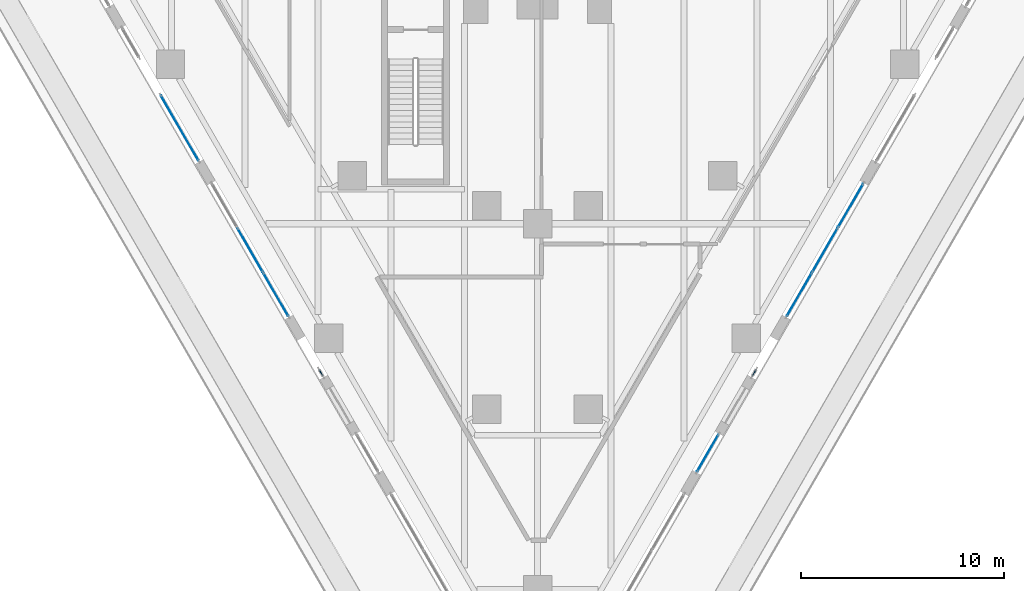
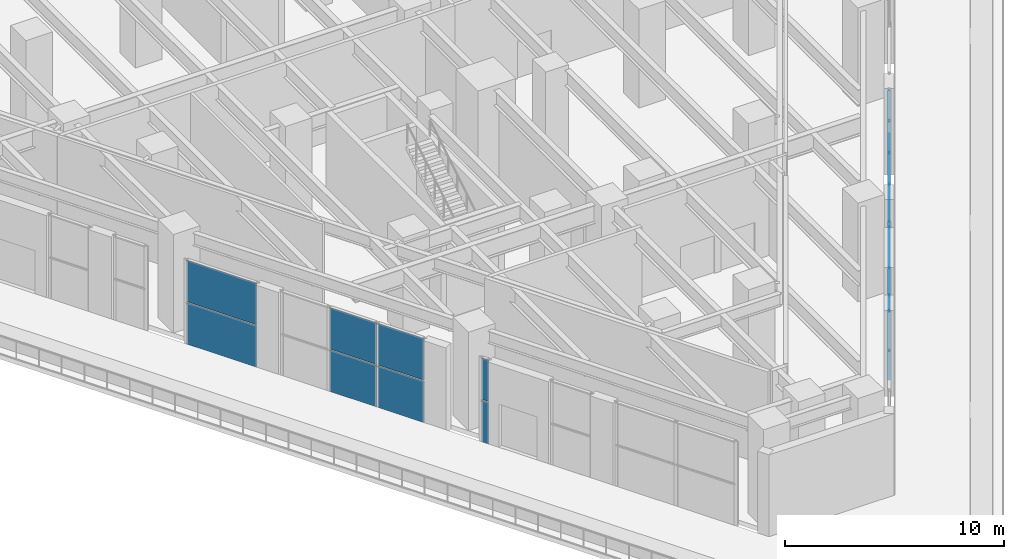
# One storey, part 16 of 30: 18 plates, 6 elements without a shape of their own.
"""IFC4 building model written with IfcOpenShell, lengths in metres."""

from ifc_helpers import new_model, si_unit, direction, frame, origin, origin_2d, place, context, subcontext, project, spatial, rectangle, extrude, material, layer, layer_set, type_object, element, aggregate, save


model = new_model("IFC4")

# Units and contexts
model_context = context("Model", 3, precision=1e-05, world=origin(), true_north=direction((0.0, 1.0)))
body_context = subcontext(model_context, "Body", "Model", "MODEL_VIEW")
ifc_project = project(units=[si_unit("LENGTHUNIT", "METRE"), si_unit("AREAUNIT", "SQUARE_METRE"), si_unit("VOLUMEUNIT", "CUBIC_METRE"), si_unit("PLANEANGLEUNIT", "RADIAN"), si_unit("MASSUNIT", "GRAM", prefix="KILO")], contexts=[model_context])

# Site, building, storey
site_placement = place(None, origin())
site = spatial("IfcSite", under=ifc_project, at=site_placement, CompositionType="ELEMENT")
building_placement = place(site_placement, origin())
building = spatial("IfcBuilding", under=site, at=building_placement, Name="Aloe Facet Convention Tower", CompositionType="ELEMENT")
storey_placement = place(building_placement, frame((0.0, 0.0, 19.5)))
storey = spatial("IfcBuildingStorey", under=building, at=storey_placement, Name="L03", CompositionType="ELEMENT", Elevation=19.5)

# Curtain wall, plates
ifc_material_1 = material(Name="Aluminium, anodised", Category="aluminium")
curtain_wall_type = type_object("IfcCurtainWallType", Name="EV-CW-HALL", PredefinedType="USERDEFINED", material=ifc_material_1)
curtain_wall_1_placement = place(storey_placement, origin())
curtain_wall_1 = element("IfcCurtainWall", 1, at=curtain_wall_1_placement, inside=storey, type_object=curtain_wall_type, Name="CW-L03-W12-2", ObjectType="UNITISED HALL GLAZING", PredefinedType="USERDEFINED")
ifc_material_2 = material(Name="Clear double glazing", Category="glass")
ifc_layer = layer(ifc_material_2, 0.035888671875)
ifc_layer_set = layer_set([ifc_layer], Name="EV-PANEL-HALL")
plate_type = type_object("IfcPlateType", Name="EV-PANEL-HALL", PredefinedType="CURTAIN_PANEL", material=ifc_layer_set)
plate_1_placement = place(storey_placement, frame((62.396484375, 85.710693359375, -0.18505859375), z_axis=(0.0, 0.0, 1.0), x_axis=(0.50000000003, -0.866025403767, 0.0)))
plate_1 = element("IfcPlate", 2, at=plate_1_placement, type_object=plate_type, Name="CW-L03-W12-2 panel 1.1", PredefinedType="CURTAIN_PANEL", context=body_context, shape_type="SweptSolid", body=[
    extrude(rectangle(XDim=3.702880859375, YDim=0.035888671875, at=origin_2d()), origin(), (0.0, 0.0, 1.0), 2.308837890625),
])
plate_2_placement = place(storey_placement, frame((62.396484375, 85.710693359375, 2.1884765625), z_axis=(0.0, 0.0, 1.0), x_axis=(0.50000000003, -0.866025403767, 0.0)))
plate_2 = element("IfcPlate", 3, at=plate_2_placement, type_object=plate_type, Name="CW-L03-W12-2 panel 1.2", PredefinedType="CURTAIN_PANEL", context=body_context, shape_type="SweptSolid", body=[
    extrude(rectangle(XDim=3.702880859375, YDim=0.035888671875, at=origin_2d()), origin(), (0.0, 0.0, 1.0), 2.308837890625),
])
aggregate(curtain_wall_1, [plate_1, plate_2])

curtain_wall_2_placement = place(storey_placement, origin())
curtain_wall_2 = element("IfcCurtainWall", 4, at=curtain_wall_2_placement, inside=storey, type_object=curtain_wall_type, Name="CW-L03-W14", ObjectType="UNITISED HALL GLAZING", PredefinedType="USERDEFINED")
plate_3_placement = place(storey_placement, frame((65.861328125, 79.709228515625, -0.18505859375), z_axis=(0.0, 0.0, 1.0), x_axis=(0.49999999997, -0.866025403802, 0.0)))
plate_3 = element("IfcPlate", 5, at=plate_3_placement, type_object=plate_type, Name="CW-L03-W14 panel 2.1", PredefinedType="CURTAIN_PANEL", context=body_context, shape_type="SweptSolid", body=[
    extrude(rectangle(XDim=2.477294921875, YDim=0.035888671875, at=origin_2d()), origin(), (0.0, 0.0, 1.0), 2.308837890625),
])
plate_4_placement = place(storey_placement, frame((65.861328125, 79.709228515625, 2.1884765625), z_axis=(0.0, 0.0, 1.0), x_axis=(0.49999999997, -0.866025403802, 0.0)))
plate_4 = element("IfcPlate", 6, at=plate_4_placement, type_object=plate_type, Name="CW-L03-W14 panel 2.2", PredefinedType="CURTAIN_PANEL", context=body_context, shape_type="SweptSolid", body=[
    extrude(rectangle(XDim=2.477294921875, YDim=0.035888671875, at=origin_2d()), origin(), (0.0, 0.0, 1.0), 2.308837890625),
])
plate_5_placement = place(storey_placement, frame((67.124267578125, 77.521728515625, -0.18505859375), z_axis=(0.0, 0.0, 1.0), x_axis=(0.49999999997, -0.866025403802, 0.0)))
plate_5 = element("IfcPlate", 7, at=plate_5_placement, type_object=plate_type, Name="CW-L03-W14 panel 3.1", PredefinedType="CURTAIN_PANEL", context=body_context, shape_type="SweptSolid", body=[
    extrude(rectangle(XDim=2.44482421875, YDim=0.035888671875, at=origin_2d()), origin(), (0.0, 0.0, 1.0), 2.308837890625),
])
plate_6_placement = place(storey_placement, frame((67.124267578125, 77.521728515625, 2.1884765625), z_axis=(0.0, 0.0, 1.0), x_axis=(0.49999999997, -0.866025403802, 0.0)))
plate_6 = element("IfcPlate", 8, at=plate_6_placement, type_object=plate_type, Name="CW-L03-W14 panel 3.2", PredefinedType="CURTAIN_PANEL", context=body_context, shape_type="SweptSolid", body=[
    extrude(rectangle(XDim=2.44482421875, YDim=0.035888671875, at=origin_2d()), origin(), (0.0, 0.0, 1.0), 2.308837890625),
])
aggregate(curtain_wall_2, [plate_3, plate_4, plate_5, plate_6])

curtain_wall_3_placement = place(storey_placement, origin())
curtain_wall_3 = element("IfcCurtainWall", 9, at=curtain_wall_3_placement, inside=storey, type_object=curtain_wall_type, Name="CW-L03-W16A", ObjectType="UNITISED HALL GLAZING", PredefinedType="USERDEFINED")
plate_7_placement = place(storey_placement, frame((69.34765625, 73.6708984375, -0.18505859375), z_axis=(0.0, 0.0, 1.0), x_axis=(0.500000000408, -0.866025403549, 0.0)))
plate_7 = element("IfcPlate", 10, at=plate_7_placement, type_object=plate_type, Name="CW-L03-W16A panel 1.1", PredefinedType="CURTAIN_PANEL", context=body_context, shape_type="SweptSolid", body=[
    extrude(rectangle(XDim=0.37841796875, YDim=0.035888671875, at=origin_2d()), origin(), (0.0, 0.0, 1.0), 2.308837890625),
])
plate_8_placement = place(storey_placement, frame((69.34765625, 73.6708984375, 2.1884765625), z_axis=(0.0, 0.0, 1.0), x_axis=(0.500000000408, -0.866025403549, 0.0)))
plate_8 = element("IfcPlate", 11, at=plate_8_placement, type_object=plate_type, Name="CW-L03-W16A panel 1.2", PredefinedType="CURTAIN_PANEL", context=body_context, shape_type="SweptSolid", body=[
    extrude(rectangle(XDim=0.37841796875, YDim=0.035888671875, at=origin_2d()), origin(), (0.0, 0.0, 1.0), 2.308837890625),
])
aggregate(curtain_wall_3, [plate_7, plate_8])

curtain_wall_4_placement = place(storey_placement, origin())
curtain_wall_4 = element("IfcCurtainWall", 12, at=curtain_wall_4_placement, inside=storey, type_object=curtain_wall_type, Name="CW-L03-E04A", ObjectType="UNITISED HALL GLAZING", PredefinedType="USERDEFINED")
plate_9_placement = place(storey_placement, frame((88.371826171875, 69.720947265625, -0.18505859375), z_axis=(0.0, 0.0, 1.0), x_axis=(0.50000000003, 0.866025403767, 0.0)))
plate_9 = element("IfcPlate", 13, at=plate_9_placement, type_object=plate_type, Name="CW-L03-E04A panel 1.1", PredefinedType="CURTAIN_PANEL", context=body_context, shape_type="SweptSolid", body=[
    extrude(rectangle(XDim=2.08349609375, YDim=0.035888671875, at=origin_2d()), origin(), (0.0, 0.0, 1.0), 2.308837890625),
])
plate_10_placement = place(storey_placement, frame((88.371826171875, 69.720947265625, 2.1884765625), z_axis=(0.0, 0.0, 1.0), x_axis=(0.50000000003, 0.866025403767, 0.0)))
plate_10 = element("IfcPlate", 14, at=plate_10_placement, type_object=plate_type, Name="CW-L03-E04A panel 1.2", PredefinedType="CURTAIN_PANEL", context=body_context, shape_type="SweptSolid", body=[
    extrude(rectangle(XDim=2.08349609375, YDim=0.035888671875, at=origin_2d()), origin(), (0.0, 0.0, 1.0), 2.308837890625),
])
aggregate(curtain_wall_4, [plate_9, plate_10])

curtain_wall_5_placement = place(storey_placement, origin())
curtain_wall_5 = element("IfcCurtainWall", 15, at=curtain_wall_5_placement, inside=storey, type_object=curtain_wall_type, Name="CW-L03-E04B", ObjectType="UNITISED HALL GLAZING", PredefinedType="USERDEFINED")
plate_11_placement = place(storey_placement, frame((90.65234375, 73.6708984375, -0.18505859375), z_axis=(0.0, 0.0, 1.0), x_axis=(0.500000000408, 0.866025403549, 0.0)))
plate_11 = element("IfcPlate", 16, at=plate_11_placement, type_object=plate_type, Name="CW-L03-E04B panel 1.1", PredefinedType="CURTAIN_PANEL", context=body_context, shape_type="SweptSolid", body=[
    extrude(rectangle(XDim=0.37841796875, YDim=0.035888671875, at=origin_2d()), origin(), (0.0, 0.0, 1.0), 2.308837890625),
])
plate_12_placement = place(storey_placement, frame((90.65234375, 73.6708984375, 2.1884765625), z_axis=(0.0, 0.0, 1.0), x_axis=(0.500000000408, 0.866025403549, 0.0)))
plate_12 = element("IfcPlate", 17, at=plate_12_placement, type_object=plate_type, Name="CW-L03-E04B panel 1.2", PredefinedType="CURTAIN_PANEL", context=body_context, shape_type="SweptSolid", body=[
    extrude(rectangle(XDim=0.37841796875, YDim=0.035888671875, at=origin_2d()), origin(), (0.0, 0.0, 1.0), 2.308837890625),
])
aggregate(curtain_wall_5, [plate_11, plate_12])

curtain_wall_6_placement = place(storey_placement, origin())
curtain_wall_6 = element("IfcCurtainWall", 18, at=curtain_wall_6_placement, inside=storey, type_object=curtain_wall_type, Name="CW-L03-E06", ObjectType="UNITISED HALL GLAZING", PredefinedType="USERDEFINED")
plate_13_placement = place(storey_placement, frame((92.875732421875, 77.521728515625, -0.18505859375), z_axis=(0.0, 0.0, 1.0), x_axis=(0.49999999997, 0.866025403802, 0.0)))
plate_13 = element("IfcPlate", 19, at=plate_13_placement, type_object=plate_type, Name="CW-L03-E06 panel 1.1", PredefinedType="CURTAIN_PANEL", context=body_context, shape_type="SweptSolid", body=[
    extrude(rectangle(XDim=2.44482421875, YDim=0.035888671875, at=origin_2d()), origin(), (0.0, 0.0, 1.0), 2.308837890625),
])
plate_14_placement = place(storey_placement, frame((92.875732421875, 77.521728515625, 2.1884765625), z_axis=(0.0, 0.0, 1.0), x_axis=(0.49999999997, 0.866025403802, 0.0)))
plate_14 = element("IfcPlate", 20, at=plate_14_placement, type_object=plate_type, Name="CW-L03-E06 panel 1.2", PredefinedType="CURTAIN_PANEL", context=body_context, shape_type="SweptSolid", body=[
    extrude(rectangle(XDim=2.44482421875, YDim=0.035888671875, at=origin_2d()), origin(), (0.0, 0.0, 1.0), 2.308837890625),
])
plate_15_placement = place(storey_placement, frame((94.138671875, 79.709228515625, -0.18505859375), z_axis=(0.0, 0.0, 1.0), x_axis=(0.49999999997, 0.866025403802, 0.0)))
plate_15 = element("IfcPlate", 21, at=plate_15_placement, type_object=plate_type, Name="CW-L03-E06 panel 2.1", PredefinedType="CURTAIN_PANEL", context=body_context, shape_type="SweptSolid", body=[
    extrude(rectangle(XDim=2.477294921875, YDim=0.035888671875, at=origin_2d()), origin(), (0.0, 0.0, 1.0), 2.308837890625),
])
plate_16_placement = place(storey_placement, frame((94.138671875, 79.709228515625, 2.1884765625), z_axis=(0.0, 0.0, 1.0), x_axis=(0.49999999997, 0.866025403802, 0.0)))
plate_16 = element("IfcPlate", 22, at=plate_16_placement, type_object=plate_type, Name="CW-L03-E06 panel 2.2", PredefinedType="CURTAIN_PANEL", context=body_context, shape_type="SweptSolid", body=[
    extrude(rectangle(XDim=2.477294921875, YDim=0.035888671875, at=origin_2d()), origin(), (0.0, 0.0, 1.0), 2.308837890625),
])
plate_17_placement = place(storey_placement, frame((95.401611328125, 81.89697265625, -0.18505859375), z_axis=(0.0, 0.0, 1.0), x_axis=(0.49999999997, 0.866025403802, 0.0)))
plate_17 = element("IfcPlate", 23, at=plate_17_placement, type_object=plate_type, Name="CW-L03-E06 panel 3.1", PredefinedType="CURTAIN_PANEL", context=body_context, shape_type="SweptSolid", body=[
    extrude(rectangle(XDim=2.44482421875, YDim=0.035888671875, at=origin_2d()), origin(), (0.0, 0.0, 1.0), 2.308837890625),
])
plate_18_placement = place(storey_placement, frame((95.401611328125, 81.89697265625, 2.1884765625), z_axis=(0.0, 0.0, 1.0), x_axis=(0.49999999997, 0.866025403802, 0.0)))
plate_18 = element("IfcPlate", 24, at=plate_18_placement, type_object=plate_type, Name="CW-L03-E06 panel 3.2", PredefinedType="CURTAIN_PANEL", context=body_context, shape_type="SweptSolid", body=[
    extrude(rectangle(XDim=2.44482421875, YDim=0.035888671875, at=origin_2d()), origin(), (0.0, 0.0, 1.0), 2.308837890625),
])
aggregate(curtain_wall_6, [plate_13, plate_14, plate_15, plate_16, plate_17, plate_18])

save(model, "model.ifc")
